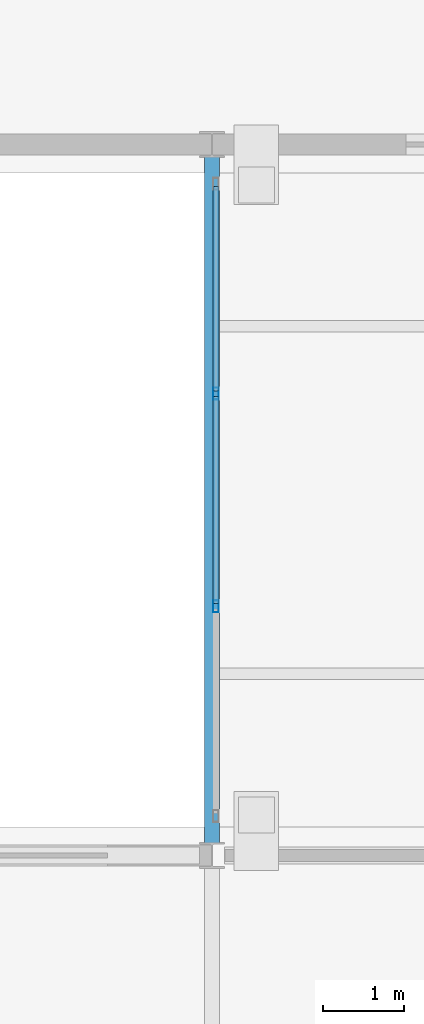
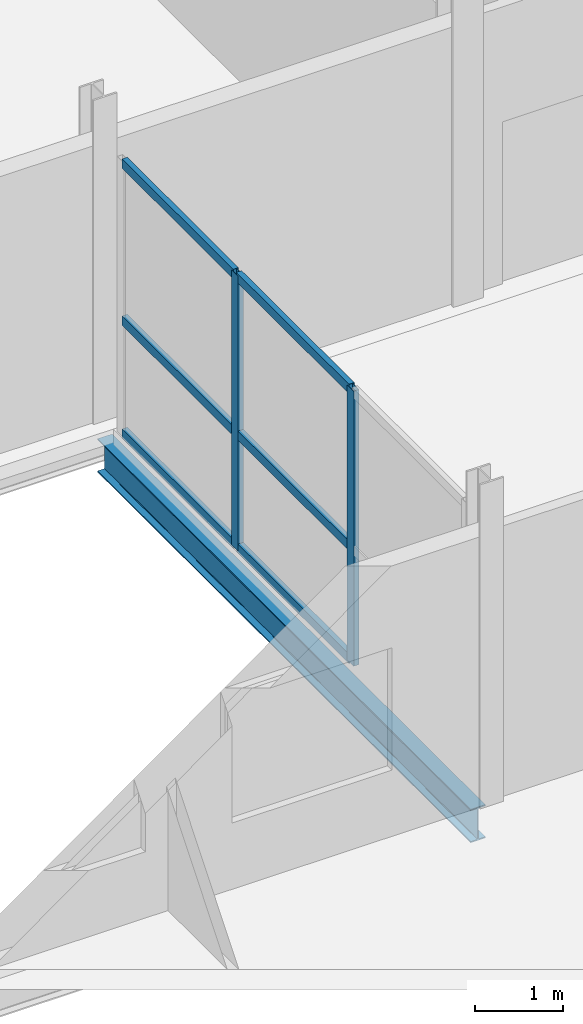
# One storey, part 22 of 77: 8 members, 1 beam, 1 element without a shape of its own.
"""IFC4 building model written with IfcOpenShell, lengths in metres."""

from ifc_helpers import new_model, si_unit, direction, frame, origin, origin_2d, place, context, subcontext, project, spatial, hollow_rectangle, i_section, extrude, material, layer, layer_set, material_profile, profile_set, type_object, element, aggregate, save


model = new_model("IFC4")

# Units and contexts
model_context = context("Model", 3, precision=1e-05, world=origin(), true_north=direction((0.0, 1.0)))
body_context = subcontext(model_context, "Body", "Model", "MODEL_VIEW")
ifc_project = project(units=[si_unit("LENGTHUNIT", "METRE"), si_unit("AREAUNIT", "SQUARE_METRE"), si_unit("VOLUMEUNIT", "CUBIC_METRE"), si_unit("PLANEANGLEUNIT", "RADIAN"), si_unit("MASSUNIT", "GRAM", prefix="KILO")], contexts=[model_context])

# Site, building, storey
site_placement = place(None, origin())
site = spatial("IfcSite", under=ifc_project, at=site_placement, CompositionType="ELEMENT")
building_placement = place(site_placement, origin())
building = spatial("IfcBuilding", under=site, at=building_placement, Name="Quillay Park Conservatory", CompositionType="ELEMENT")
storey_placement = place(building_placement, frame((0.0, 0.0, 5.39990234375)))
storey = spatial("IfcBuildingStorey", under=building, at=storey_placement, Name="L01", CompositionType="ELEMENT", Elevation=5.39990234375)

# Curtain wall, members
ifc_material_1 = material(Name="Thermally Broken Anodised Aluminium 6063-T6", Category="aluminium")
ifc_layer = layer(ifc_material_1, 0.155029296875)
ifc_layer_set = layer_set([ifc_layer], Name="UNITISED CURTAIN WALL BRIDGE (Thermally Broken Anodised Aluminium 6063-T6)")
curtain_wall_type = type_object("IfcCurtainWallType", Name="UNITISED CURTAIN WALL BRIDGE", PredefinedType="USERDEFINED", material=ifc_layer_set)
curtain_wall_placement = place(storey_placement, origin())
curtain_wall = element("IfcCurtainWall", 1, at=curtain_wall_placement, inside=storey, type_object=curtain_wall_type, Name="L01 Unitised Curtain Wall 215", ObjectType="UNITISED CURTAIN WALL", PredefinedType="USERDEFINED")
ifc_material_2 = material(Name="Thermally Broken Anodised Aluminium 6063-T6", Category="aluminium")
ifc_material_profile_1 = material_profile(ifc_material_2, hollow_rectangle(XDim=0.070068359375, YDim=0.14990234375, WallThickness=0.00341796875, at=origin_2d()), Name="AL70x150x3.5")
ifc_profile_set_1 = profile_set([ifc_material_profile_1], Name="Thermally Broken Anodised Aluminium 6063-T6")
member_type_1 = type_object("IfcMemberType", Name="CURTAIN WALL MULLION 70 X150", PredefinedType="MULLION", material=ifc_profile_set_1)
member_1_placement = place(storey_placement, frame((15.050048828125, 57.333251953125, 0.0), z_axis=(0.0, 0.0, 1.0), x_axis=(-1.0, 0.0, 0.0)))
member_1 = element("IfcMember", 2, at=member_1_placement, type_object=member_type_1, Name="CW-B1 mullion 2", PredefinedType="MULLION", context=body_context, shape_type="SweptSolid", body=[
    extrude(hollow_rectangle(XDim=0.070068359375, YDim=0.14990234375, WallThickness=0.00341796875, at=origin_2d()), origin(), (0.0, 0.0, 1.0), 3.819091796875),
])
member_2_placement = place(storey_placement, frame((15.050048828125, 59.966552734375, 0.0), z_axis=(0.0, 0.0, 1.0), x_axis=(-1.0, 0.0, 0.0)))
member_2 = element("IfcMember", 3, at=member_2_placement, type_object=member_type_1, Name="CW-B1 mullion 3", PredefinedType="MULLION", context=body_context, shape_type="SweptSolid", body=[
    extrude(hollow_rectangle(XDim=0.070068359375, YDim=0.14990234375, WallThickness=0.00341796875, at=origin_2d()), origin(), (0.0, 0.0, 1.0), 3.819091796875),
])
ifc_material_3 = material(Name="Thermally Broken Anodised Aluminium 6063-T6", Category="aluminium")
ifc_material_profile_2 = material_profile(ifc_material_3, hollow_rectangle(XDim=0.070068359375, YDim=0.1298828125, WallThickness=0.003173828125, at=origin_2d()), Name="AL70x130x3.2")
ifc_profile_set_2 = profile_set([ifc_material_profile_2], Name="Thermally Broken Anodised Aluminium 6063-T6")
member_type_2 = type_object("IfcMemberType", Name="CURTAIN WALL TRANSOM 70 X130", PredefinedType="USERDEFINED", material=ifc_profile_set_2)
member_3_placement = place(storey_placement, frame((15.050048828125, 57.368408203125, 0.03515625), z_axis=(0.0, 1.0, 0.0), x_axis=(-1.0, 0.0, 0.0)))
member_3 = element("IfcMember", 4, at=member_3_placement, type_object=member_type_2, Name="CW-B1 transom 2.1", ObjectType="TRANSOM", PredefinedType="USERDEFINED", context=body_context, shape_type="SweptSolid", body=[
    extrude(hollow_rectangle(XDim=0.070068359375, YDim=0.1298828125, WallThickness=0.003173828125, at=origin_2d()), origin(), (0.0, 0.0, 1.0), 2.563232421875),
])
member_4_placement = place(storey_placement, frame((15.050048828125, 57.368408203125, 1.60400390625), z_axis=(0.0, 1.0, 0.0), x_axis=(-1.0, 0.0, 0.0)))
member_4 = element("IfcMember", 5, at=member_4_placement, type_object=member_type_2, Name="CW-B1 transom 2.2", ObjectType="TRANSOM", PredefinedType="USERDEFINED", context=body_context, shape_type="SweptSolid", body=[
    extrude(hollow_rectangle(XDim=0.070068359375, YDim=0.1298828125, WallThickness=0.003173828125, at=origin_2d()), origin(), (0.0, 0.0, 1.0), 2.563232421875),
])
member_5_placement = place(storey_placement, frame((15.050048828125, 57.368408203125, 3.7841796875), z_axis=(0.0, 1.0, 0.0), x_axis=(-1.0, 0.0, 0.0)))
member_5 = element("IfcMember", 6, at=member_5_placement, type_object=member_type_2, Name="CW-B1 transom 2.3", ObjectType="TRANSOM", PredefinedType="USERDEFINED", context=body_context, shape_type="SweptSolid", body=[
    extrude(hollow_rectangle(XDim=0.070068359375, YDim=0.1298828125, WallThickness=0.003173828125, at=origin_2d()), origin(), (0.0, 0.0, 1.0), 2.563232421875),
])
member_6_placement = place(storey_placement, frame((15.050048828125, 60.001708984375, 0.03515625), z_axis=(0.0, 1.0, 0.0), x_axis=(-1.0, 0.0, 0.0)))
member_6 = element("IfcMember", 7, at=member_6_placement, type_object=member_type_2, Name="CW-B1 transom 3.1", ObjectType="TRANSOM", PredefinedType="USERDEFINED", context=body_context, shape_type="SweptSolid", body=[
    extrude(hollow_rectangle(XDim=0.070068359375, YDim=0.1298828125, WallThickness=0.003173828125, at=origin_2d()), origin(), (0.0, 0.0, 1.0), 2.5283203125),
])
member_7_placement = place(storey_placement, frame((15.050048828125, 60.001708984375, 1.60400390625), z_axis=(0.0, 1.0, 0.0), x_axis=(-1.0, 0.0, 0.0)))
member_7 = element("IfcMember", 8, at=member_7_placement, type_object=member_type_2, Name="CW-B1 transom 3.2", ObjectType="TRANSOM", PredefinedType="USERDEFINED", context=body_context, shape_type="SweptSolid", body=[
    extrude(hollow_rectangle(XDim=0.070068359375, YDim=0.1298828125, WallThickness=0.003173828125, at=origin_2d()), origin(), (0.0, 0.0, 1.0), 2.5283203125),
])
member_8_placement = place(storey_placement, frame((15.050048828125, 60.001708984375, 3.7841796875), z_axis=(0.0, 1.0, 0.0), x_axis=(-1.0, 0.0, 0.0)))
member_8 = element("IfcMember", 9, at=member_8_placement, type_object=member_type_2, Name="CW-B1 transom 3.3", ObjectType="TRANSOM", PredefinedType="USERDEFINED", context=body_context, shape_type="SweptSolid", body=[
    extrude(hollow_rectangle(XDim=0.070068359375, YDim=0.1298828125, WallThickness=0.003173828125, at=origin_2d()), origin(), (0.0, 0.0, 1.0), 2.5283203125),
])
aggregate(curtain_wall, [member_1, member_2, member_3, member_4, member_5, member_6, member_7, member_8])

# Beam
ifc_material_4 = material(Name="Steel ASTM A992 Grade 50", Category="steel")
ifc_material_profile_3 = material_profile(ifc_material_4, i_section(OverallWidth=0.19189453125, OverallDepth=0.462890625, WebThickness=0.010498046875, FlangeThickness=0.017578125, FilletRadius=0.012939453125, at=origin_2d()), Name="W460x89")
ifc_profile_set_3 = profile_set([ifc_material_profile_3], Name="Steel ASTM A992 Grade 50")
beam_type = type_object("IfcBeamType", Name="PRIMARY FLOOR GIRDER W460 X89", PredefinedType="BEAM", material=ifc_profile_set_3)
beam_placement = place(storey_placement, frame((15.0, 54.405029296875, -0.451416015625), z_axis=(0.0, 1.0, 0.0), x_axis=(-1.0, 0.0, 0.0)))
element("IfcBeam", 10, at=beam_placement, inside=storey, type_object=beam_type, Name="L01 beam BM-LB1-1577", PredefinedType="BEAM", context=body_context, shape_type="SweptSolid", body=[
    extrude(i_section(OverallWidth=0.19189453125, OverallDepth=0.462890625, WebThickness=0.010498046875, FlangeThickness=0.017578125, FilletRadius=0.012939453125, at=origin_2d()), origin(), (0.0, 0.0, 1.0), 8.489990234375),
])

save(model, "model.ifc")
